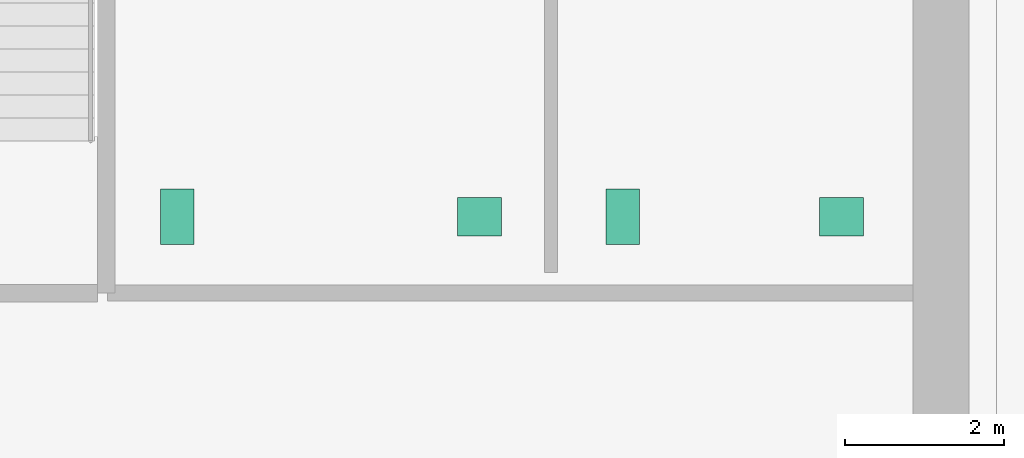
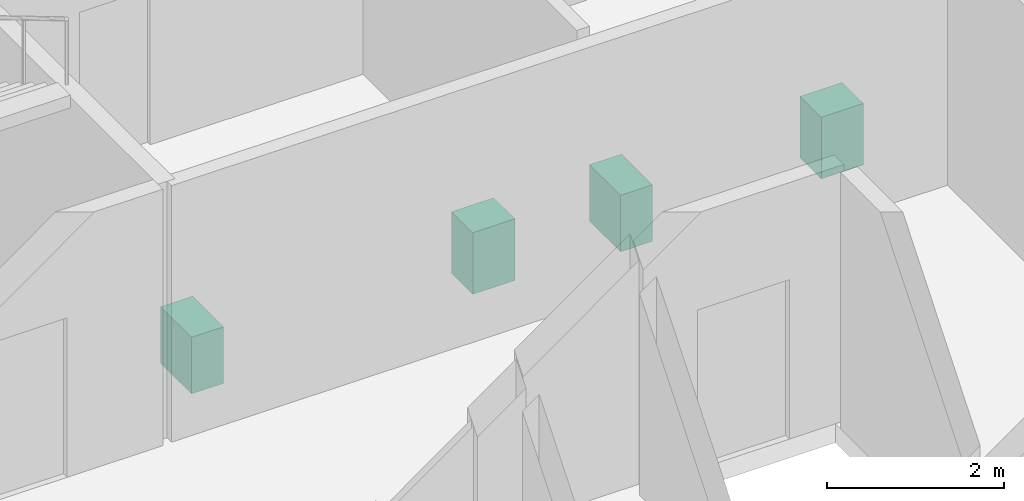
# One storey, part 16 of 16: 4 sanitary terminals.
"""IFC4 building model written with IfcOpenShell, lengths in metres."""

from ifc_helpers import new_model, si_unit, direction, frame, origin, origin_2d, place, context, subcontext, project, spatial, rectangle, extrude, material, type_object, element, save


model = new_model("IFC4")

# Units and contexts
model_context = context("Model", 3, precision=1e-05, world=origin(), true_north=direction((0.0, 1.0)))
body_context = subcontext(model_context, "Body", "Model", "MODEL_VIEW")
ifc_project = project(units=[si_unit("LENGTHUNIT", "METRE"), si_unit("AREAUNIT", "SQUARE_METRE"), si_unit("VOLUMEUNIT", "CUBIC_METRE"), si_unit("PLANEANGLEUNIT", "RADIAN"), si_unit("MASSUNIT", "GRAM", prefix="KILO")], contexts=[model_context])

# Site, building, storey
site_placement = place(None, origin())
site = spatial("IfcSite", under=ifc_project, at=site_placement, CompositionType="ELEMENT")
building_placement = place(site_placement, origin())
building = spatial("IfcBuilding", under=site, at=building_placement, Name="Norrvale University Quadrangle", CompositionType="ELEMENT")
storey_placement = place(building_placement, frame((0.0, 0.0, 112.800048828125)))
storey = spatial("IfcBuildingStorey", under=building, at=storey_placement, Name="L28", CompositionType="ELEMENT", Elevation=112.800048828125)

# Sanitary terminals
ifc_material = material(Name="Vitreous China Sanitaryware")
sanitary_terminal_type_1 = type_object("IfcSanitaryTerminalType", Name="Sanitary Wash Basin", PredefinedType="WASHHANDBASIN", material=ifc_material)
for number, where, z_axis, x_axis, name in (
    (1, (11.0, 41.10009765625, 0.0), (0.0, 0.0, 1.0), (1.0, 0.0, 0.0), "Accessible Countertop Washbasin L28-1"),
    (2, (15.550048828125, 41.10009765625, 0.0), (0.0, 0.0, 1.0), (1.0, 0.0, 0.0), "Accessible Countertop Washbasin L28-2"),
):
    element("IfcSanitaryTerminal", number, at=place(storey_placement, frame(where, z_axis=z_axis, x_axis=x_axis)), inside=storey, type_object=sanitary_terminal_type_1, Name=name, PredefinedType="WASHHANDBASIN", context=body_context, shape_type="SweptSolid", body=[
        extrude(rectangle(XDim=0.550048828125, YDim=0.47998046875, at=origin_2d()), origin(), (0.0, 0.0, 1.0), 0.85009765625),
    ])
sanitary_terminal_type_2 = type_object("IfcSanitaryTerminalType", Name="Sanitary Water Closet", PredefinedType="TOILETPAN", material=ifc_material)
for number, where, z_axis, x_axis, name in (
    (3, (7.199951171875, 41.10009765625, 0.0), (0.0, 0.0, 1.0), (1.0, 0.0, 0.0), "Wall-Hung Water Closet L28-1"),
    (4, (12.800048828125, 41.10009765625, 0.0), (0.0, 0.0, 1.0), (1.0, 0.0, 0.0), "Wall-Hung Water Closet L28-2"),
):
    element("IfcSanitaryTerminal", number, at=place(storey_placement, frame(where, z_axis=z_axis, x_axis=x_axis)), inside=storey, type_object=sanitary_terminal_type_2, Name=name, PredefinedType="TOILETPAN", context=body_context, shape_type="SweptSolid", body=[
        extrude(rectangle(XDim=0.419921875, YDim=0.699951171875, at=origin_2d()), origin(), (0.0, 0.0, 1.0), 0.780029296875),
    ])

save(model, "model.ifc")
